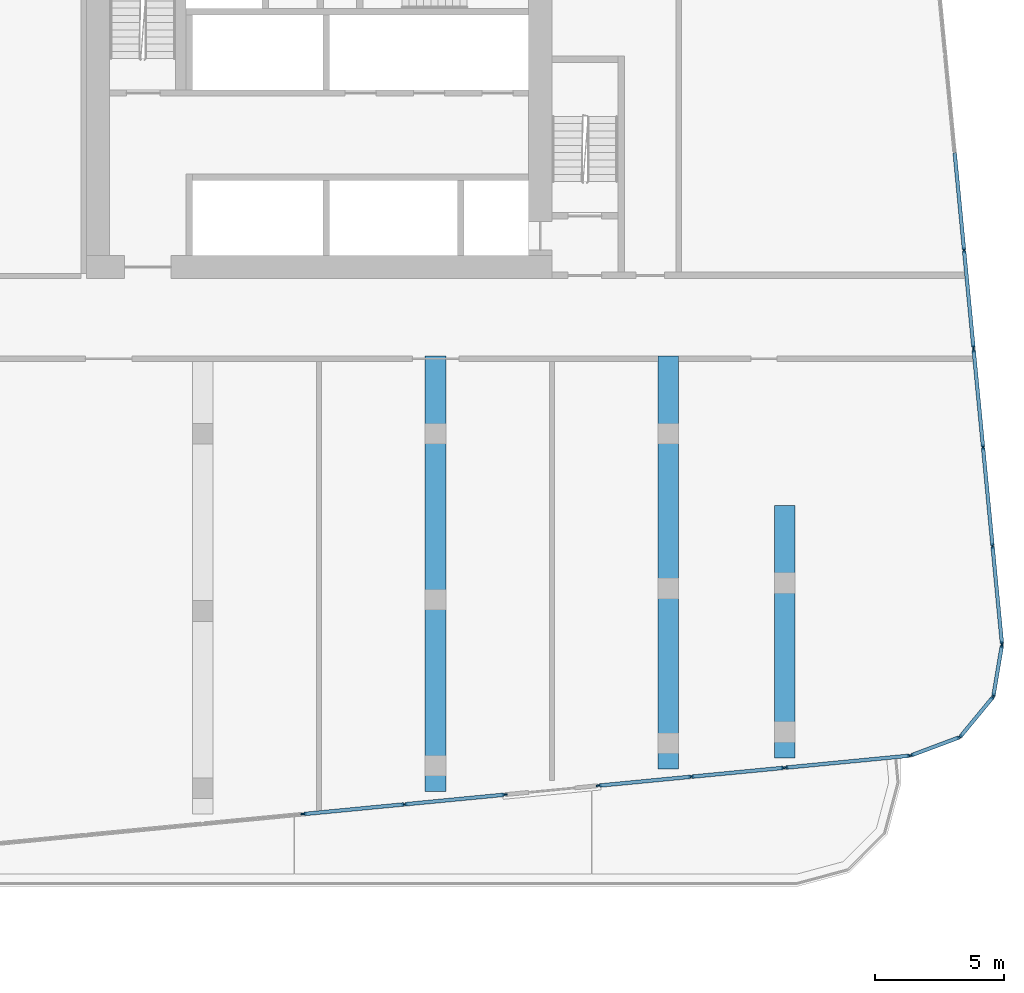
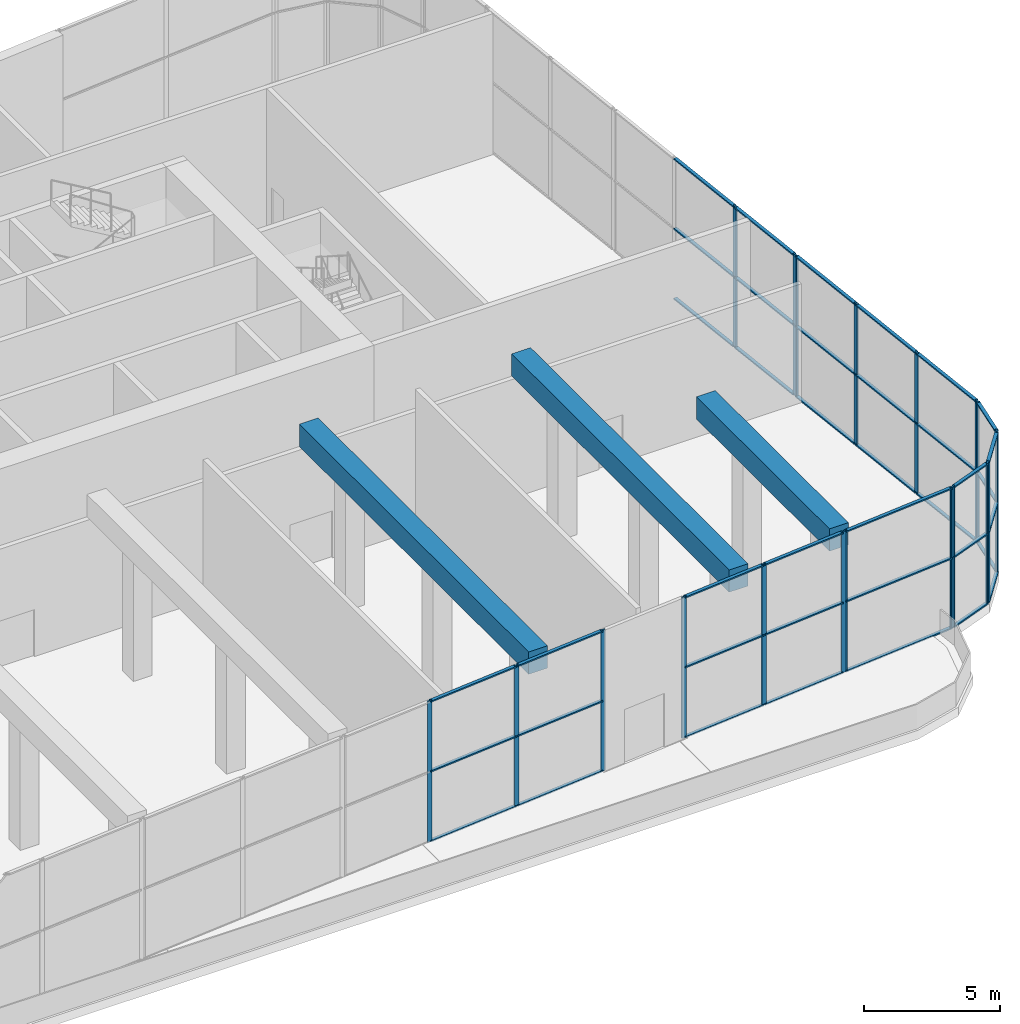
# One storey, part 7 of 25: 59 members, 3 beams, 8 elements without a shape of their own.
"""IFC4 building model written with IfcOpenShell, lengths in metres."""

from ifc_helpers import new_model, si_unit, direction, frame, origin, origin_2d, place, context, subcontext, project, spatial, rectangle, extrude, material, material_profile, profile_set, type_object, element, aggregate, save


model = new_model("IFC4")

# Units and contexts
model_context = context("Model", 3, precision=1e-05, world=origin(), true_north=direction((0.0, 1.0)))
body_context = subcontext(model_context, "Body", "Model", "MODEL_VIEW")
ifc_project = project(units=[si_unit("LENGTHUNIT", "METRE"), si_unit("AREAUNIT", "SQUARE_METRE"), si_unit("VOLUMEUNIT", "CUBIC_METRE"), si_unit("PLANEANGLEUNIT", "RADIAN"), si_unit("MASSUNIT", "GRAM", prefix="KILO")], contexts=[model_context])

# Site, building, storey
site_placement = place(None, origin())
site = spatial("IfcSite", under=ifc_project, at=site_placement, CompositionType="ELEMENT")
building_placement = place(site_placement, origin())
building = spatial("IfcBuilding", under=site, at=building_placement, Name="Kajstack Hotel Tower", CompositionType="ELEMENT")
storey_placement = place(building_placement, frame((0.0, 0.0, 104.199951171875)))
storey = spatial("IfcBuildingStorey", under=building, at=storey_placement, Name="L22", CompositionType="ELEMENT", Elevation=104.199951171875)

# Curtain wall, members
ifc_material_1 = material(Name="Aluminium-framed curtain wall, low-iron insulated glass", Category="aluminium")
curtain_wall_type = type_object("IfcCurtainWallType", Name="CW-GARDEN", PredefinedType="NOTDEFINED", material=ifc_material_1)
curtain_wall_1_placement = place(storey_placement, origin())
curtain_wall_1 = element("IfcCurtainWall", 1, at=curtain_wall_1_placement, inside=storey, type_object=curtain_wall_type, Name="Curtain wall CU6 L22-04-02-3", PredefinedType="NOTDEFINED")
ifc_material_2 = material(Name="Aluminium", Category="aluminium")
ifc_material_profile_1 = material_profile(ifc_material_2, rectangle(XDim=0.06005859375, YDim=0.199951171875, at=origin_2d()), Name="Aluminium mullion 60 x 200")
ifc_profile_set_1 = profile_set([ifc_material_profile_1], Name="Aluminium")
member_type_1 = type_object("IfcMemberType", Name="CW-M-GARDEN", PredefinedType="MULLION", material=ifc_profile_set_1)
member_1_placement = place(storey_placement, frame((21.8955078125, -19.200927734375, 0.0), z_axis=(0.0, 0.0, 1.0), x_axis=(-0.095845579329, 0.995396215044, 0.0)))
member_1 = element("IfcMember", 2, at=member_1_placement, type_object=member_type_1, Name="CU6 mullion 2", PredefinedType="MULLION", context=body_context, shape_type="SweptSolid", body=[
    extrude(rectangle(XDim=0.06005859375, YDim=0.199951171875, at=origin_2d()), origin(), (0.0, 0.0, 1.0), 6.320068359375),
])
member_2_placement = place(storey_placement, frame((25.79833984375, -18.8251953125, 0.0), z_axis=(0.0, 0.0, 1.0), x_axis=(-0.095845579329, 0.995396215044, 0.0)))
member_2 = element("IfcMember", 3, at=member_2_placement, type_object=member_type_1, Name="CU6 mullion 3", PredefinedType="MULLION", context=body_context, shape_type="SweptSolid", body=[
    extrude(rectangle(XDim=0.06005859375, YDim=0.199951171875, at=origin_2d()), origin(), (0.0, 0.0, 1.0), 6.320068359375),
])
member_3_placement = place(storey_placement, frame((29.671142578125, -18.4521484375, 0.0), z_axis=(0.0, 0.0, 1.0), x_axis=(-0.095845579329, 0.995396215044, 0.0)))
member_3 = element("IfcMember", 4, at=member_3_placement, type_object=member_type_1, Name="CU6 mullion 4", PredefinedType="MULLION", context=body_context, shape_type="SweptSolid", body=[
    extrude(rectangle(XDim=0.06005859375, YDim=0.199951171875, at=origin_2d()), origin(), (0.0, 0.0, 1.0), 6.320068359375),
])

curtain_wall_2_placement = place(storey_placement, origin())
curtain_wall_2 = element("IfcCurtainWall", 5, at=curtain_wall_2_placement, inside=storey, type_object=curtain_wall_type, Name="Curtain wall CU6 L22-04-04-0", PredefinedType="NOTDEFINED")
member_4_placement = place(storey_placement, frame((33.314453125, -18.101318359375, 0.0), z_axis=(0.0, 0.0, 1.0), x_axis=(-0.095845521686, 0.995396220594, 0.0)))
member_4 = element("IfcMember", 6, at=member_4_placement, type_object=member_type_1, Name="CU6 mullion 1", PredefinedType="MULLION", context=body_context, shape_type="SweptSolid", body=[
    extrude(rectangle(XDim=0.06005859375, YDim=0.199951171875, at=origin_2d()), origin(), (0.0, 0.0, 1.0), 6.320068359375),
])
member_5_placement = place(storey_placement, frame((36.888671875, -17.75732421875, 0.0), z_axis=(0.0, 0.0, 1.0), x_axis=(-0.095845521686, 0.995396220594, 0.0)))
member_5 = element("IfcMember", 7, at=member_5_placement, type_object=member_type_1, Name="CU6 mullion 2", PredefinedType="MULLION", context=body_context, shape_type="SweptSolid", body=[
    extrude(rectangle(XDim=0.06005859375, YDim=0.199951171875, at=origin_2d()), origin(), (0.0, 0.0, 1.0), 6.320068359375),
])
member_6_placement = place(storey_placement, frame((40.462890625, -17.4130859375, 0.0), z_axis=(0.0, 0.0, 1.0), x_axis=(-0.095845521686, 0.995396220594, 0.0)))
member_6 = element("IfcMember", 8, at=member_6_placement, type_object=member_type_1, Name="CU6 mullion 3", PredefinedType="MULLION", context=body_context, shape_type="SweptSolid", body=[
    extrude(rectangle(XDim=0.06005859375, YDim=0.199951171875, at=origin_2d()), origin(), (0.0, 0.0, 1.0), 6.320068359375),
])

curtain_wall_3_placement = place(storey_placement, origin())
curtain_wall_3 = element("IfcCurtainWall", 9, at=curtain_wall_3_placement, inside=storey, type_object=curtain_wall_type, Name="Curtain wall CU6 L22-04-04-1", PredefinedType="NOTDEFINED")
member_7_placement = place(storey_placement, frame((40.522705078125, -17.4072265625, 0.0), z_axis=(0.0, 0.0, 1.0), x_axis=(-0.09584567601, 0.995396205734, 0.0)))
member_7 = element("IfcMember", 10, at=member_7_placement, type_object=member_type_1, Name="CU6 mullion 1", PredefinedType="MULLION", context=body_context, shape_type="SweptSolid", body=[
    extrude(rectangle(XDim=0.06005859375, YDim=0.199951171875, at=origin_2d()), origin(), (0.0, 0.0, 1.0), 6.320068359375),
])
member_8_placement = place(storey_placement, frame((45.341796875, -16.943359375, 0.0), z_axis=(0.0, 0.0, 1.0), x_axis=(-0.09584567601, 0.995396205734, 0.0)))
member_8 = element("IfcMember", 11, at=member_8_placement, type_object=member_type_1, Name="CU6 mullion 2", PredefinedType="MULLION", context=body_context, shape_type="SweptSolid", body=[
    extrude(rectangle(XDim=0.06005859375, YDim=0.199951171875, at=origin_2d()), origin(), (0.0, 0.0, 1.0), 6.320068359375),
])

curtain_wall_4_placement = place(storey_placement, origin())
curtain_wall_4 = element("IfcCurtainWall", 12, at=curtain_wall_4_placement, inside=storey, type_object=curtain_wall_type, Name="Curtain wall CU6 L22-05-00-0", PredefinedType="NOTDEFINED")
member_9_placement = place(storey_placement, frame((45.380615234375, -16.934326171875, 0.0), z_axis=(0.0, 0.0, 1.0), x_axis=(-0.350186476689, 0.936680004881, 0.0)))
member_9 = element("IfcMember", 13, at=member_9_placement, type_object=member_type_1, Name="CU6 mullion 1", PredefinedType="MULLION", context=body_context, shape_type="SweptSolid", body=[
    extrude(rectangle(XDim=0.06005859375, YDim=0.199951171875, at=origin_2d()), origin(), (0.0, 0.0, 1.0), 6.320068359375),
])
member_10_placement = place(storey_placement, frame((47.263916015625, -16.230224609375, 0.0), z_axis=(0.0, 0.0, 1.0), x_axis=(-0.350186476689, 0.936680004881, 0.0)))
member_10 = element("IfcMember", 14, at=member_10_placement, type_object=member_type_1, Name="CU6 mullion 2", PredefinedType="MULLION", context=body_context, shape_type="SweptSolid", body=[
    extrude(rectangle(XDim=0.06005859375, YDim=0.199951171875, at=origin_2d()), origin(), (0.0, 0.0, 1.0), 6.320068359375),
])

curtain_wall_5_placement = place(storey_placement, origin())
curtain_wall_5 = element("IfcCurtainWall", 15, at=curtain_wall_5_placement, inside=storey, type_object=curtain_wall_type, Name="Curtain wall CU6 L22-06-00-0", PredefinedType="NOTDEFINED")
member_11_placement = place(storey_placement, frame((47.279541015625, -16.21923828125, 0.0), z_axis=(0.0, 0.0, 1.0), x_axis=(-0.771634596978, 0.636066072627, 0.0)))
member_11 = element("IfcMember", 16, at=member_11_placement, type_object=member_type_1, Name="CU6 mullion 1", PredefinedType="MULLION", context=body_context, shape_type="SweptSolid", body=[
    extrude(rectangle(XDim=0.06005859375, YDim=0.199951171875, at=origin_2d()), origin(), (0.0, 0.0, 1.0), 6.320068359375),
])
member_12_placement = place(storey_placement, frame((48.558349609375, -14.667724609375, 0.0), z_axis=(0.0, 0.0, 1.0), x_axis=(-0.771634596978, 0.636066072627, 0.0)))
member_12 = element("IfcMember", 17, at=member_12_placement, type_object=member_type_1, Name="CU6 mullion 2", PredefinedType="MULLION", context=body_context, shape_type="SweptSolid", body=[
    extrude(rectangle(XDim=0.06005859375, YDim=0.199951171875, at=origin_2d()), origin(), (0.0, 0.0, 1.0), 6.320068359375),
])

curtain_wall_6_placement = place(storey_placement, origin())
curtain_wall_6 = element("IfcCurtainWall", 18, at=curtain_wall_6_placement, inside=storey, type_object=curtain_wall_type, Name="Curtain wall CU6 L22-07-00-0", PredefinedType="NOTDEFINED")
member_13_placement = place(storey_placement, frame((48.566162109375, -14.650390625, 0.0), z_axis=(0.0, 0.0, 1.0), x_axis=(-0.986289302298, 0.165025489464, 0.0)))
member_13 = element("IfcMember", 19, at=member_13_placement, type_object=member_type_1, Name="CU6 mullion 1", PredefinedType="MULLION", context=body_context, shape_type="SweptSolid", body=[
    extrude(rectangle(XDim=0.06005859375, YDim=0.199951171875, at=origin_2d()), origin(), (0.0, 0.0, 1.0), 6.320068359375),
])
member_14_placement = place(storey_placement, frame((48.898193359375, -12.667236328125, 0.0), z_axis=(0.0, 0.0, 1.0), x_axis=(-0.986289302298, 0.165025489464, 0.0)))
member_14 = element("IfcMember", 20, at=member_14_placement, type_object=member_type_1, Name="CU6 mullion 2", PredefinedType="MULLION", context=body_context, shape_type="SweptSolid", body=[
    extrude(rectangle(XDim=0.06005859375, YDim=0.199951171875, at=origin_2d()), origin(), (0.0, 0.0, 1.0), 6.320068359375),
])

curtain_wall_7_placement = place(storey_placement, origin())
curtain_wall_7 = element("IfcCurtainWall", 21, at=curtain_wall_7_placement, inside=storey, type_object=curtain_wall_type, Name="Curtain wall CU6 L22-08-00-0", PredefinedType="NOTDEFINED")
member_15_placement = place(storey_placement, frame((48.8994140625, -12.62744140625, 0.0), z_axis=(0.0, 0.0, 1.0), x_axis=(-0.995396183752, -0.095845904308, 0.0)))
member_15 = element("IfcMember", 22, at=member_15_placement, type_object=member_type_1, Name="CU6 mullion 1", PredefinedType="MULLION", context=body_context, shape_type="SweptSolid", body=[
    extrude(rectangle(XDim=0.06005859375, YDim=0.199951171875, at=origin_2d()), origin(), (0.0, 0.0, 1.0), 6.320068359375),
])
member_16_placement = place(storey_placement, frame((48.534912109375, -8.840576171875, 0.0), z_axis=(0.0, 0.0, 1.0), x_axis=(-0.995396183752, -0.095845904308, 0.0)))
member_16 = element("IfcMember", 23, at=member_16_placement, type_object=member_type_1, Name="CU6 mullion 2", PredefinedType="MULLION", context=body_context, shape_type="SweptSolid", body=[
    extrude(rectangle(XDim=0.06005859375, YDim=0.199951171875, at=origin_2d()), origin(), (0.0, 0.0, 1.0), 6.320068359375),
])
member_17_placement = place(storey_placement, frame((48.167236328125, -5.02392578125, 0.0), z_axis=(0.0, 0.0, 1.0), x_axis=(-0.995396183752, -0.095845904308, 0.0)))
member_17 = element("IfcMember", 24, at=member_17_placement, type_object=member_type_1, Name="CU6 mullion 3", PredefinedType="MULLION", context=body_context, shape_type="SweptSolid", body=[
    extrude(rectangle(XDim=0.06005859375, YDim=0.199951171875, at=origin_2d()), origin(), (0.0, 0.0, 1.0), 6.320068359375),
])
member_18_placement = place(storey_placement, frame((47.802734375, -1.237060546875, 0.0), z_axis=(0.0, 0.0, 1.0), x_axis=(-0.995396183752, -0.095845904308, 0.0)))
member_18 = element("IfcMember", 25, at=member_18_placement, type_object=member_type_1, Name="CU6 mullion 4", PredefinedType="MULLION", context=body_context, shape_type="SweptSolid", body=[
    extrude(rectangle(XDim=0.06005859375, YDim=0.199951171875, at=origin_2d()), origin(), (0.0, 0.0, 1.0), 6.320068359375),
])

curtain_wall_8_placement = place(storey_placement, origin())
curtain_wall_8 = element("IfcCurtainWall", 26, at=curtain_wall_8_placement, inside=storey, type_object=curtain_wall_type, Name="Curtain wall CU6 L22-08-00-1", PredefinedType="NOTDEFINED")
member_19_placement = place(storey_placement, frame((47.796875, -1.17724609375, 0.0), z_axis=(0.0, 0.0, 1.0), x_axis=(-0.995396187581, -0.095845864541, 0.0)))
member_19 = element("IfcMember", 27, at=member_19_placement, type_object=member_type_1, Name="CU6 mullion 1", PredefinedType="MULLION", context=body_context, shape_type="SweptSolid", body=[
    extrude(rectangle(XDim=0.06005859375, YDim=0.199951171875, at=origin_2d()), origin(), (0.0, 0.0, 1.0), 6.320068359375),
])
member_20_placement = place(storey_placement, frame((47.433837890625, 2.5927734375, 0.0), z_axis=(0.0, 0.0, 1.0), x_axis=(-0.995396187581, -0.095845864541, 0.0)))
member_20 = element("IfcMember", 28, at=member_20_placement, type_object=member_type_1, Name="CU6 mullion 2", PredefinedType="MULLION", context=body_context, shape_type="SweptSolid", body=[
    extrude(rectangle(XDim=0.06005859375, YDim=0.199951171875, at=origin_2d()), origin(), (0.0, 0.0, 1.0), 6.320068359375),
])

# Member
ifc_material_profile_2 = material_profile(ifc_material_2, rectangle(XDim=0.139892578125, YDim=0.06005859375, at=origin_2d()), Name="Aluminium transom 140 x 60")
ifc_profile_set_2 = profile_set([ifc_material_profile_2], Name="Aluminium")
member_type_2 = type_object("IfcMemberType", Name="CW-T-GARDEN", PredefinedType="USERDEFINED", material=ifc_profile_set_2)
member_21_placement = place(storey_placement, frame((21.925537109375, -19.197998046875, 0.030029296875), z_axis=(0.99540033553, 0.095802776719, 0.0), x_axis=(-0.095802776719, 0.99540033553, 0.0)))
member_21 = element("IfcMember", 29, at=member_21_placement, type_object=member_type_2, Name="CU6 transom 2.1", ObjectType="TRANSOM", PredefinedType="USERDEFINED", context=body_context, shape_type="SweptSolid", body=[
    extrude(rectangle(XDim=0.139892578125, YDim=0.06005859375, at=origin_2d()), origin(), (0.0, 0.0, 1.0), 3.86083984375),
])

member_22_placement = place(storey_placement, frame((21.925537109375, -19.197998046875, 3.16015625), z_axis=(0.99540033553, 0.095802776719, 0.0), x_axis=(-0.095802776719, 0.99540033553, 0.0)))
member_22 = element("IfcMember", 30, at=member_22_placement, type_object=member_type_2, Name="CU6 transom 2.2", ObjectType="TRANSOM", PredefinedType="USERDEFINED", context=body_context, shape_type="SweptSolid", body=[
    extrude(rectangle(XDim=0.139892578125, YDim=0.06005859375, at=origin_2d()), origin(), (0.0, 0.0, 1.0), 3.86083984375),
])

member_23_placement = place(storey_placement, frame((21.925537109375, -19.197998046875, 6.2900390625), z_axis=(0.99540033553, 0.095802776719, 0.0), x_axis=(-0.095802776719, 0.99540033553, 0.0)))
member_23 = element("IfcMember", 31, at=member_23_placement, type_object=member_type_2, Name="CU6 transom 2.3", ObjectType="TRANSOM", PredefinedType="USERDEFINED", context=body_context, shape_type="SweptSolid", body=[
    extrude(rectangle(XDim=0.139892578125, YDim=0.06005859375, at=origin_2d()), origin(), (0.0, 0.0, 1.0), 3.86083984375),
])

member_24_placement = place(storey_placement, frame((25.828125, -18.822265625, 0.030029296875), z_axis=(0.995395825307, 0.095849626817, 0.0), x_axis=(-0.095849626817, 0.995395825307, 0.0)))
member_24 = element("IfcMember", 32, at=member_24_placement, type_object=member_type_2, Name="CU6 transom 3.1", ObjectType="TRANSOM", PredefinedType="USERDEFINED", context=body_context, shape_type="SweptSolid", body=[
    extrude(rectangle(XDim=0.139892578125, YDim=0.06005859375, at=origin_2d()), origin(), (0.0, 0.0, 1.0), 3.830810546875),
])

member_25_placement = place(storey_placement, frame((25.828125, -18.822265625, 3.16015625), z_axis=(0.995395825307, 0.095849626817, 0.0), x_axis=(-0.095849626817, 0.995395825307, 0.0)))
member_25 = element("IfcMember", 33, at=member_25_placement, type_object=member_type_2, Name="CU6 transom 3.2", ObjectType="TRANSOM", PredefinedType="USERDEFINED", context=body_context, shape_type="SweptSolid", body=[
    extrude(rectangle(XDim=0.139892578125, YDim=0.06005859375, at=origin_2d()), origin(), (0.0, 0.0, 1.0), 3.830810546875),
])

member_26_placement = place(storey_placement, frame((25.828125, -18.822265625, 6.2900390625), z_axis=(0.995395825307, 0.095849626817, 0.0), x_axis=(-0.095849626817, 0.995395825307, 0.0)))
member_26 = element("IfcMember", 34, at=member_26_placement, type_object=member_type_2, Name="CU6 transom 3.3", ObjectType="TRANSOM", PredefinedType="USERDEFINED", context=body_context, shape_type="SweptSolid", body=[
    extrude(rectangle(XDim=0.139892578125, YDim=0.06005859375, at=origin_2d()), origin(), (0.0, 0.0, 1.0), 3.830810546875),
])

aggregate(curtain_wall_1, [member_1, member_2, member_3, member_21, member_22, member_23, member_24, member_25, member_26])

member_27_placement = place(storey_placement, frame((33.34423828125, -18.0986328125, 0.030029296875), z_axis=(0.99539736681, 0.095833617005, 0.0), x_axis=(-0.095833617005, 0.99539736681, 0.0)))
member_27 = element("IfcMember", 35, at=member_27_placement, type_object=member_type_2, Name="CU6 transom 1.1", ObjectType="TRANSOM", PredefinedType="USERDEFINED", context=body_context, shape_type="SweptSolid", body=[
    extrude(rectangle(XDim=0.139892578125, YDim=0.06005859375, at=origin_2d()), origin(), (0.0, 0.0, 1.0), 3.531005859375),
])

member_28_placement = place(storey_placement, frame((33.34423828125, -18.0986328125, 3.16015625), z_axis=(0.99539736681, 0.095833617005, 0.0), x_axis=(-0.095833617005, 0.99539736681, 0.0)))
member_28 = element("IfcMember", 36, at=member_28_placement, type_object=member_type_2, Name="CU6 transom 1.2", ObjectType="TRANSOM", PredefinedType="USERDEFINED", context=body_context, shape_type="SweptSolid", body=[
    extrude(rectangle(XDim=0.139892578125, YDim=0.06005859375, at=origin_2d()), origin(), (0.0, 0.0, 1.0), 3.531005859375),
])

member_29_placement = place(storey_placement, frame((33.34423828125, -18.0986328125, 6.2900390625), z_axis=(0.99539736681, 0.095833617005, 0.0), x_axis=(-0.095833617005, 0.99539736681, 0.0)))
member_29 = element("IfcMember", 37, at=member_29_placement, type_object=member_type_2, Name="CU6 transom 1.3", ObjectType="TRANSOM", PredefinedType="USERDEFINED", context=body_context, shape_type="SweptSolid", body=[
    extrude(rectangle(XDim=0.139892578125, YDim=0.06005859375, at=origin_2d()), origin(), (0.0, 0.0, 1.0), 3.531005859375),
])

member_30_placement = place(storey_placement, frame((36.91845703125, -17.75439453125, 0.030029296875), z_axis=(0.99539736681, 0.095833617005, 0.0), x_axis=(-0.095833617005, 0.99539736681, 0.0)))
member_30 = element("IfcMember", 38, at=member_30_placement, type_object=member_type_2, Name="CU6 transom 2.1", ObjectType="TRANSOM", PredefinedType="USERDEFINED", context=body_context, shape_type="SweptSolid", body=[
    extrude(rectangle(XDim=0.139892578125, YDim=0.06005859375, at=origin_2d()), origin(), (0.0, 0.0, 1.0), 3.531005859375),
])

member_31_placement = place(storey_placement, frame((36.91845703125, -17.75439453125, 3.16015625), z_axis=(0.99539736681, 0.095833617005, 0.0), x_axis=(-0.095833617005, 0.99539736681, 0.0)))
member_31 = element("IfcMember", 39, at=member_31_placement, type_object=member_type_2, Name="CU6 transom 2.2", ObjectType="TRANSOM", PredefinedType="USERDEFINED", context=body_context, shape_type="SweptSolid", body=[
    extrude(rectangle(XDim=0.139892578125, YDim=0.06005859375, at=origin_2d()), origin(), (0.0, 0.0, 1.0), 3.531005859375),
])

member_32_placement = place(storey_placement, frame((36.91845703125, -17.75439453125, 6.2900390625), z_axis=(0.99539736681, 0.095833617005, 0.0), x_axis=(-0.095833617005, 0.99539736681, 0.0)))
member_32 = element("IfcMember", 40, at=member_32_placement, type_object=member_type_2, Name="CU6 transom 2.3", ObjectType="TRANSOM", PredefinedType="USERDEFINED", context=body_context, shape_type="SweptSolid", body=[
    extrude(rectangle(XDim=0.139892578125, YDim=0.06005859375, at=origin_2d()), origin(), (0.0, 0.0, 1.0), 3.531005859375),
])

aggregate(curtain_wall_2, [member_4, member_5, member_6, member_27, member_28, member_29, member_30, member_31, member_32])

member_33_placement = place(storey_placement, frame((40.552490234375, -17.404541015625, 0.030029296875), z_axis=(0.995396484348, 0.095842782452, 0.0), x_axis=(-0.095842782452, 0.995396484348, 0.0)))
member_33 = element("IfcMember", 41, at=member_33_placement, type_object=member_type_2, Name="CU6 transom 1.1", ObjectType="TRANSOM", PredefinedType="USERDEFINED", context=body_context, shape_type="SweptSolid", body=[
    extrude(rectangle(XDim=0.139892578125, YDim=0.06005859375, at=origin_2d()), origin(), (0.0, 0.0, 1.0), 4.78125),
])

member_34_placement = place(storey_placement, frame((40.552490234375, -17.404541015625, 3.16015625), z_axis=(0.995396484348, 0.095842782452, 0.0), x_axis=(-0.095842782452, 0.995396484348, 0.0)))
member_34 = element("IfcMember", 42, at=member_34_placement, type_object=member_type_2, Name="CU6 transom 1.2", ObjectType="TRANSOM", PredefinedType="USERDEFINED", context=body_context, shape_type="SweptSolid", body=[
    extrude(rectangle(XDim=0.139892578125, YDim=0.06005859375, at=origin_2d()), origin(), (0.0, 0.0, 1.0), 4.78125),
])

member_35_placement = place(storey_placement, frame((40.552490234375, -17.404541015625, 6.2900390625), z_axis=(0.995396484348, 0.095842782452, 0.0), x_axis=(-0.095842782452, 0.995396484348, 0.0)))
member_35 = element("IfcMember", 43, at=member_35_placement, type_object=member_type_2, Name="CU6 transom 1.3", ObjectType="TRANSOM", PredefinedType="USERDEFINED", context=body_context, shape_type="SweptSolid", body=[
    extrude(rectangle(XDim=0.139892578125, YDim=0.06005859375, at=origin_2d()), origin(), (0.0, 0.0, 1.0), 4.78125),
])

aggregate(curtain_wall_3, [member_7, member_8, member_33, member_34, member_35])

member_36_placement = place(storey_placement, frame((45.40869140625, -16.923828125, 0.030029296875), z_axis=(0.936678468154, 0.350190587105, 0.0), x_axis=(-0.350190587105, 0.936678468154, 0.0)))
member_36 = element("IfcMember", 44, at=member_36_placement, type_object=member_type_2, Name="CU6 transom 1.1", ObjectType="TRANSOM", PredefinedType="USERDEFINED", context=body_context, shape_type="SweptSolid", body=[
    extrude(rectangle(XDim=0.139892578125, YDim=0.06005859375, at=origin_2d()), origin(), (0.0, 0.0, 1.0), 1.95068359375),
])

member_37_placement = place(storey_placement, frame((45.40869140625, -16.923828125, 3.16015625), z_axis=(0.936678468154, 0.350190587105, 0.0), x_axis=(-0.350190587105, 0.936678468154, 0.0)))
member_37 = element("IfcMember", 45, at=member_37_placement, type_object=member_type_2, Name="CU6 transom 1.2", ObjectType="TRANSOM", PredefinedType="USERDEFINED", context=body_context, shape_type="SweptSolid", body=[
    extrude(rectangle(XDim=0.139892578125, YDim=0.06005859375, at=origin_2d()), origin(), (0.0, 0.0, 1.0), 1.95068359375),
])

member_38_placement = place(storey_placement, frame((45.40869140625, -16.923828125, 6.2900390625), z_axis=(0.936678468154, 0.350190587105, 0.0), x_axis=(-0.350190587105, 0.936678468154, 0.0)))
member_38 = element("IfcMember", 46, at=member_38_placement, type_object=member_type_2, Name="CU6 transom 1.3", ObjectType="TRANSOM", PredefinedType="USERDEFINED", context=body_context, shape_type="SweptSolid", body=[
    extrude(rectangle(XDim=0.139892578125, YDim=0.06005859375, at=origin_2d()), origin(), (0.0, 0.0, 1.0), 1.95068359375),
])

aggregate(curtain_wall_4, [member_9, member_10, member_36, member_37, member_38])

member_39_placement = place(storey_placement, frame((47.298583984375, -16.196044921875, 0.030029296875), z_axis=(0.636075700037, 0.771626660907, 0.0), x_axis=(-0.771626660907, 0.636075700037, 0.0)))
member_39 = element("IfcMember", 47, at=member_39_placement, type_object=member_type_2, Name="CU6 transom 1.1", ObjectType="TRANSOM", PredefinedType="USERDEFINED", context=body_context, shape_type="SweptSolid", body=[
    extrude(rectangle(XDim=0.139892578125, YDim=0.06005859375, at=origin_2d()), origin(), (0.0, 0.0, 1.0), 1.95068359375),
])

member_40_placement = place(storey_placement, frame((47.298583984375, -16.196044921875, 3.16015625), z_axis=(0.636075700037, 0.771626660907, 0.0), x_axis=(-0.771626660907, 0.636075700037, 0.0)))
member_40 = element("IfcMember", 48, at=member_40_placement, type_object=member_type_2, Name="CU6 transom 1.2", ObjectType="TRANSOM", PredefinedType="USERDEFINED", context=body_context, shape_type="SweptSolid", body=[
    extrude(rectangle(XDim=0.139892578125, YDim=0.06005859375, at=origin_2d()), origin(), (0.0, 0.0, 1.0), 1.95068359375),
])

member_41_placement = place(storey_placement, frame((47.298583984375, -16.196044921875, 6.2900390625), z_axis=(0.636075700037, 0.771626660907, 0.0), x_axis=(-0.771626660907, 0.636075700037, 0.0)))
member_41 = element("IfcMember", 49, at=member_41_placement, type_object=member_type_2, Name="CU6 transom 1.3", ObjectType="TRANSOM", PredefinedType="USERDEFINED", context=body_context, shape_type="SweptSolid", body=[
    extrude(rectangle(XDim=0.139892578125, YDim=0.06005859375, at=origin_2d()), origin(), (0.0, 0.0, 1.0), 1.95068359375),
])

aggregate(curtain_wall_5, [member_11, member_12, member_39, member_40, member_41])

member_42_placement = place(storey_placement, frame((48.5712890625, -14.620849609375, 0.030029296875), z_axis=(0.164967276108, 0.986299040765, 0.0), x_axis=(-0.986299040765, 0.164967276108, 0.0)))
member_42 = element("IfcMember", 50, at=member_42_placement, type_object=member_type_2, Name="CU6 transom 1.1", ObjectType="TRANSOM", PredefinedType="USERDEFINED", context=body_context, shape_type="SweptSolid", body=[
    extrude(rectangle(XDim=0.139892578125, YDim=0.06005859375, at=origin_2d()), origin(), (0.0, 0.0, 1.0), 1.950439453125),
])

member_43_placement = place(storey_placement, frame((48.5712890625, -14.620849609375, 3.16015625), z_axis=(0.164967276108, 0.986299040765, 0.0), x_axis=(-0.986299040765, 0.164967276108, 0.0)))
member_43 = element("IfcMember", 51, at=member_43_placement, type_object=member_type_2, Name="CU6 transom 1.2", ObjectType="TRANSOM", PredefinedType="USERDEFINED", context=body_context, shape_type="SweptSolid", body=[
    extrude(rectangle(XDim=0.139892578125, YDim=0.06005859375, at=origin_2d()), origin(), (0.0, 0.0, 1.0), 1.950439453125),
])

member_44_placement = place(storey_placement, frame((48.5712890625, -14.620849609375, 6.2900390625), z_axis=(0.164967276108, 0.986299040765, 0.0), x_axis=(-0.986299040765, 0.164967276108, 0.0)))
member_44 = element("IfcMember", 52, at=member_44_placement, type_object=member_type_2, Name="CU6 transom 1.3", ObjectType="TRANSOM", PredefinedType="USERDEFINED", context=body_context, shape_type="SweptSolid", body=[
    extrude(rectangle(XDim=0.139892578125, YDim=0.06005859375, at=origin_2d()), origin(), (0.0, 0.0, 1.0), 1.950439453125),
])

aggregate(curtain_wall_6, [member_13, member_14, member_42, member_43, member_44])

member_45_placement = place(storey_placement, frame((48.896484375, -12.59765625, 0.030029296875), z_axis=(-0.095842852043, 0.995396477647, 0.0), x_axis=(-0.995396477647, -0.095842852043, 0.0)))
member_45 = element("IfcMember", 53, at=member_45_placement, type_object=member_type_2, Name="CU6 transom 1.1", ObjectType="TRANSOM", PredefinedType="USERDEFINED", context=body_context, shape_type="SweptSolid", body=[
    extrude(rectangle(XDim=0.139892578125, YDim=0.06005859375, at=origin_2d()), origin(), (0.0, 0.0, 1.0), 3.74462890625),
])

member_46_placement = place(storey_placement, frame((48.896484375, -12.59765625, 3.16015625), z_axis=(-0.095842852043, 0.995396477647, 0.0), x_axis=(-0.995396477647, -0.095842852043, 0.0)))
member_46 = element("IfcMember", 54, at=member_46_placement, type_object=member_type_2, Name="CU6 transom 1.2", ObjectType="TRANSOM", PredefinedType="USERDEFINED", context=body_context, shape_type="SweptSolid", body=[
    extrude(rectangle(XDim=0.139892578125, YDim=0.06005859375, at=origin_2d()), origin(), (0.0, 0.0, 1.0), 3.74462890625),
])

member_47_placement = place(storey_placement, frame((48.896484375, -12.59765625, 6.2900390625), z_axis=(-0.095842852043, 0.995396477647, 0.0), x_axis=(-0.995396477647, -0.095842852043, 0.0)))
member_47 = element("IfcMember", 55, at=member_47_placement, type_object=member_type_2, Name="CU6 transom 1.3", ObjectType="TRANSOM", PredefinedType="USERDEFINED", context=body_context, shape_type="SweptSolid", body=[
    extrude(rectangle(XDim=0.139892578125, YDim=0.06005859375, at=origin_2d()), origin(), (0.0, 0.0, 1.0), 3.74462890625),
])

member_48_placement = place(storey_placement, frame((48.531982421875, -8.810791015625, 0.030029296875), z_axis=(-0.095859072396, 0.995394915719, 0.0), x_axis=(-0.995394915719, -0.095859072396, 0.0)))
member_48 = element("IfcMember", 56, at=member_48_placement, type_object=member_type_2, Name="CU6 transom 2.1", ObjectType="TRANSOM", PredefinedType="USERDEFINED", context=body_context, shape_type="SweptSolid", body=[
    extrude(rectangle(XDim=0.139892578125, YDim=0.06005859375, at=origin_2d()), origin(), (0.0, 0.0, 1.0), 3.7744140625),
])

member_49_placement = place(storey_placement, frame((48.531982421875, -8.810791015625, 3.16015625), z_axis=(-0.095859072396, 0.995394915719, 0.0), x_axis=(-0.995394915719, -0.095859072396, 0.0)))
member_49 = element("IfcMember", 57, at=member_49_placement, type_object=member_type_2, Name="CU6 transom 2.2", ObjectType="TRANSOM", PredefinedType="USERDEFINED", context=body_context, shape_type="SweptSolid", body=[
    extrude(rectangle(XDim=0.139892578125, YDim=0.06005859375, at=origin_2d()), origin(), (0.0, 0.0, 1.0), 3.7744140625),
])

member_50_placement = place(storey_placement, frame((48.531982421875, -8.810791015625, 6.2900390625), z_axis=(-0.095859072396, 0.995394915719, 0.0), x_axis=(-0.995394915719, -0.095859072396, 0.0)))
member_50 = element("IfcMember", 58, at=member_50_placement, type_object=member_type_2, Name="CU6 transom 2.3", ObjectType="TRANSOM", PredefinedType="USERDEFINED", context=body_context, shape_type="SweptSolid", body=[
    extrude(rectangle(XDim=0.139892578125, YDim=0.06005859375, at=origin_2d()), origin(), (0.0, 0.0, 1.0), 3.7744140625),
])

member_51_placement = place(storey_placement, frame((48.16455078125, -4.993896484375, 0.030029296875), z_axis=(-0.095849072557, 0.995395878678, 0.0), x_axis=(-0.995395878678, -0.095849072557, 0.0)))
member_51 = element("IfcMember", 59, at=member_51_placement, type_object=member_type_2, Name="CU6 transom 3.1", ObjectType="TRANSOM", PredefinedType="USERDEFINED", context=body_context, shape_type="SweptSolid", body=[
    extrude(rectangle(XDim=0.139892578125, YDim=0.06005859375, at=origin_2d()), origin(), (0.0, 0.0, 1.0), 3.744384765625),
])

member_52_placement = place(storey_placement, frame((48.16455078125, -4.993896484375, 3.16015625), z_axis=(-0.095849072557, 0.995395878678, 0.0), x_axis=(-0.995395878678, -0.095849072557, 0.0)))
member_52 = element("IfcMember", 60, at=member_52_placement, type_object=member_type_2, Name="CU6 transom 3.2", ObjectType="TRANSOM", PredefinedType="USERDEFINED", context=body_context, shape_type="SweptSolid", body=[
    extrude(rectangle(XDim=0.139892578125, YDim=0.06005859375, at=origin_2d()), origin(), (0.0, 0.0, 1.0), 3.744384765625),
])

member_53_placement = place(storey_placement, frame((48.16455078125, -4.993896484375, 6.2900390625), z_axis=(-0.095849072557, 0.995395878678, 0.0), x_axis=(-0.995395878678, -0.095849072557, 0.0)))
member_53 = element("IfcMember", 61, at=member_53_placement, type_object=member_type_2, Name="CU6 transom 3.3", ObjectType="TRANSOM", PredefinedType="USERDEFINED", context=body_context, shape_type="SweptSolid", body=[
    extrude(rectangle(XDim=0.139892578125, YDim=0.06005859375, at=origin_2d()), origin(), (0.0, 0.0, 1.0), 3.744384765625),
])

aggregate(curtain_wall_7, [member_15, member_16, member_17, member_18, member_45, member_46, member_47, member_48, member_49, member_50, member_51, member_52, member_53])

member_54_placement = place(storey_placement, frame((47.794189453125, -1.1474609375, 0.030029296875), z_axis=(-0.095884626486, 0.995392454464, 0.0), x_axis=(-0.995392454464, -0.095884626486, 0.0)))
member_54 = element("IfcMember", 62, at=member_54_placement, type_object=member_type_2, Name="CU6 transom 1.1", ObjectType="TRANSOM", PredefinedType="USERDEFINED", context=body_context, shape_type="SweptSolid", body=[
    extrude(rectangle(XDim=0.139892578125, YDim=0.06005859375, at=origin_2d()), origin(), (0.0, 0.0, 1.0), 3.7275390625),
])

member_55_placement = place(storey_placement, frame((47.794189453125, -1.1474609375, 3.16015625), z_axis=(-0.095884626486, 0.995392454464, 0.0), x_axis=(-0.995392454464, -0.095884626486, 0.0)))
member_55 = element("IfcMember", 63, at=member_55_placement, type_object=member_type_2, Name="CU6 transom 1.2", ObjectType="TRANSOM", PredefinedType="USERDEFINED", context=body_context, shape_type="SweptSolid", body=[
    extrude(rectangle(XDim=0.139892578125, YDim=0.06005859375, at=origin_2d()), origin(), (0.0, 0.0, 1.0), 3.7275390625),
])

member_56_placement = place(storey_placement, frame((47.794189453125, -1.1474609375, 6.2900390625), z_axis=(-0.095884626486, 0.995392454464, 0.0), x_axis=(-0.995392454464, -0.095884626486, 0.0)))
member_56 = element("IfcMember", 64, at=member_56_placement, type_object=member_type_2, Name="CU6 transom 1.3", ObjectType="TRANSOM", PredefinedType="USERDEFINED", context=body_context, shape_type="SweptSolid", body=[
    extrude(rectangle(XDim=0.139892578125, YDim=0.06005859375, at=origin_2d()), origin(), (0.0, 0.0, 1.0), 3.7275390625),
])

member_57_placement = place(storey_placement, frame((47.43115234375, 2.622802734375, 0.030029296875), z_axis=(-0.095900587031, 0.99539091688, 0.0), x_axis=(-0.99539091688, -0.095900587031, 0.0)))
member_57 = element("IfcMember", 65, at=member_57_placement, type_object=member_type_2, Name="CU6 transom 2.1", ObjectType="TRANSOM", PredefinedType="USERDEFINED", context=body_context, shape_type="SweptSolid", body=[
    extrude(rectangle(XDim=0.139892578125, YDim=0.06005859375, at=origin_2d()), origin(), (0.0, 0.0, 1.0), 3.757568359375),
])

member_58_placement = place(storey_placement, frame((47.43115234375, 2.622802734375, 3.16015625), z_axis=(-0.095900587031, 0.99539091688, 0.0), x_axis=(-0.99539091688, -0.095900587031, 0.0)))
member_58 = element("IfcMember", 66, at=member_58_placement, type_object=member_type_2, Name="CU6 transom 2.2", ObjectType="TRANSOM", PredefinedType="USERDEFINED", context=body_context, shape_type="SweptSolid", body=[
    extrude(rectangle(XDim=0.139892578125, YDim=0.06005859375, at=origin_2d()), origin(), (0.0, 0.0, 1.0), 3.757568359375),
])

member_59_placement = place(storey_placement, frame((47.43115234375, 2.622802734375, 6.2900390625), z_axis=(-0.095900587031, 0.99539091688, 0.0), x_axis=(-0.99539091688, -0.095900587031, 0.0)))
member_59 = element("IfcMember", 67, at=member_59_placement, type_object=member_type_2, Name="CU6 transom 2.3", ObjectType="TRANSOM", PredefinedType="USERDEFINED", context=body_context, shape_type="SweptSolid", body=[
    extrude(rectangle(XDim=0.139892578125, YDim=0.06005859375, at=origin_2d()), origin(), (0.0, 0.0, 1.0), 3.757568359375),
])

aggregate(curtain_wall_8, [member_19, member_20, member_54, member_55, member_56, member_57, member_58, member_59])

# Beams
ifc_material_3 = material(Name="Concrete C60/75", Category="concrete")
ifc_material_profile_3 = material_profile(ifc_material_3, rectangle(XDim=0.800048828125, YDim=1.0, at=origin_2d()), Name="RC 800x1000")
ifc_profile_set_3 = profile_set([ifc_material_profile_3], Name="Concrete C60/75")
beam_type = type_object("IfcBeamType", Name="TG2 RC 800x1000 C60/75", PredefinedType="BEAM", material=ifc_profile_set_3)
beam_1_placement = place(storey_placement, frame((27.0, -18.332763671875, 5.820068359375), z_axis=(0.0, 1.0, 0.0), x_axis=(-1.0, 0.0, 0.0)))
element("IfcBeam", 68, at=beam_1_placement, inside=storey, type_object=beam_type, Name="S-girder-L22-+27p0-1", PredefinedType="BEAM", context=body_context, shape_type="SweptSolid", body=[
    extrude(rectangle(XDim=0.800048828125, YDim=1.0, at=origin_2d()), origin(), (0.0, 0.0, 1.0), 16.832763671875),
])
beam_2_placement = place(storey_placement, frame((36.0, -17.466064453125, 5.820068359375), z_axis=(0.0, 1.0, 0.0), x_axis=(-1.0, 0.0, 0.0)))
element("IfcBeam", 69, at=beam_2_placement, inside=storey, type_object=beam_type, Name="S-girder-L22-+36p0-1", PredefinedType="BEAM", context=body_context, shape_type="SweptSolid", body=[
    extrude(rectangle(XDim=0.800048828125, YDim=1.0, at=origin_2d()), origin(), (0.0, 0.0, 1.0), 15.966064453125),
])
beam_3_placement = place(storey_placement, frame((40.5, -17.03271484375, 5.820068359375), z_axis=(0.0, 1.0, 0.0), x_axis=(-1.0, 0.0, 0.0)))
element("IfcBeam", 70, at=beam_3_placement, inside=storey, type_object=beam_type, Name="S-girder-L22-+40p5-1", PredefinedType="BEAM", context=body_context, shape_type="SweptSolid", body=[
    extrude(rectangle(XDim=0.800048828125, YDim=1.0, at=origin_2d()), origin(), (0.0, 0.0, 1.0), 9.766357421875),
])

save(model, "model.ifc")
